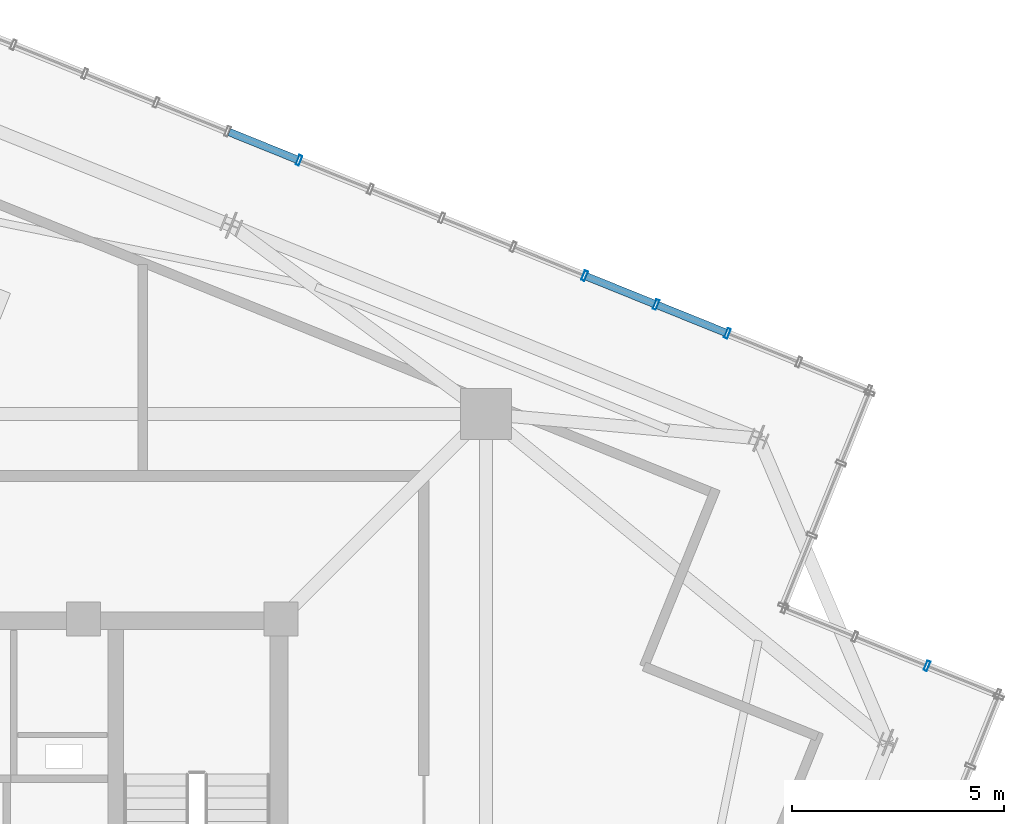
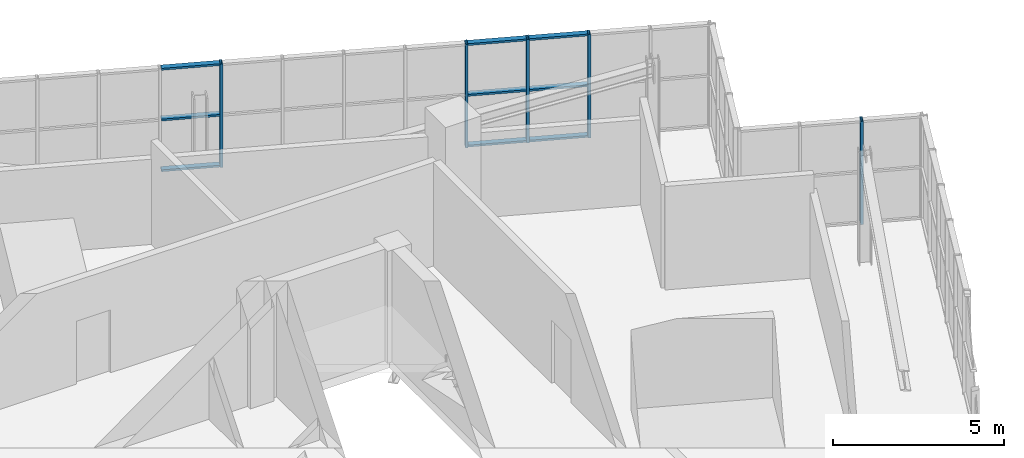
# One storey, part 17 of 26: 14 members, 2 elements without a shape of their own.
"""IFC4 building model written with IfcOpenShell, lengths in metres."""

import ifcopenshell
import ifcopenshell.guid

model = None  # the IFC model being written
_history = None  # IfcOwnerHistory: only IFC2X3 demands one
_inside = {}  # id of a spatial element -> (the spatial element, [elements in it])
_under = {}  # id of a project, library or spatial element -> (it, [spatial elements below it])
_declared = {}  # id of a project -> (the project, [libraries it declares])
_typed = {}  # id of a type object -> (the type object, [elements of that type])
_made_of = {}  # id of a material, layer set ... -> (it, [elements and type objects made of it])


def new_model(schema):
    """Start an empty IFC model of exactly this schema.

    Asked for "IFC4X3", IfcOpenShell would pick the latest addendum, in which some entities
    have other attributes; the version numbers below select the first issue.
    IFC2X3 requires an IfcOwnerHistory on every rooted entity: one is made here for all.
    """
    global model, _history
    if schema == "IFC4X3":
        model = ifcopenshell.file(schema_version=(4, 3, 0, 0))
    else:
        model = ifcopenshell.file(schema=schema)
    _inside.clear()
    _under.clear()
    _declared.clear()
    _typed.clear()
    _made_of.clear()
    _history = None
    if model.schema == "IFC2X3":
        org = make("IfcOrganization", Name="unknown")
        user = make(
            "IfcPersonAndOrganization",
            ThePerson=make("IfcPerson", FamilyName="unknown"),
            TheOrganization=org,
        )
        app = make(
            "IfcApplication",
            ApplicationDeveloper=org,
            Version="unknown",
            ApplicationFullName="unknown",
            ApplicationIdentifier="unknown",
        )
        _history = make(
            "IfcOwnerHistory",
            OwningUser=user,
            OwningApplication=app,
            ChangeAction="ADDED",
            CreationDate=0,
        )
    return model


def make(cls, **values):
    """One entity of the class cls with the attributes given. An attribute that is None is left unset."""
    return model.create_entity(
        cls, **{name: value for name, value in values.items() if value is not None}
    )


def rooted(cls, **values):
    """An entity with a GlobalId (a new one), such as an element, a storey or a relation."""
    return make(cls, GlobalId=ifcopenshell.guid.new(), OwnerHistory=_history, **values)


def si_unit(unit_type, name, prefix=None):
    """IfcSIUnit, for example si_unit("LENGTHUNIT", "METRE", prefix="MILLI")."""
    return make("IfcSIUnit", UnitType=unit_type, Prefix=prefix, Name=name)


def assignment(units):
    """IfcUnitAssignment: the units of a project."""
    return None if units is None else make("IfcUnitAssignment", Units=units)


def point(xyz):
    """IfcCartesianPoint."""
    return None if xyz is None else make("IfcCartesianPoint", Coordinates=xyz)


def direction(xyz):
    """IfcDirection."""
    return None if xyz is None else make("IfcDirection", DirectionRatios=xyz)


def frame(location, z_axis=None, x_axis=None):
    """IfcAxis2Placement3D, a coordinate frame: its origin and axes. An axis left out is left unset."""
    return make(
        "IfcAxis2Placement3D",
        Location=point(location),
        Axis=direction(z_axis),
        RefDirection=direction(x_axis),
    )


def frame_2d(location, x_axis=None):
    """IfcAxis2Placement2D, a coordinate frame in the plane: its origin and x axis."""
    return make(
        "IfcAxis2Placement2D", Location=point(location), RefDirection=direction(x_axis)
    )


def origin():
    """The frame at (0, 0, 0) with its axes left unset."""
    return frame((0.0, 0.0, 0.0))


def origin_2d():
    """The frame at (0, 0) in the plane with its x axis left unset."""
    return frame_2d((0.0, 0.0))


def place(relative_to, where):
    """IfcLocalPlacement: puts the frame where relative to a parent placement (None: the world)."""
    return make(
        "IfcLocalPlacement", PlacementRelTo=relative_to, RelativePlacement=where
    )


def context(
    kind, dimensions, precision=None, world=None, true_north=None, identifier=None
):
    """IfcGeometricRepresentationContext, for example the 3D "Model" context."""
    return make(
        "IfcGeometricRepresentationContext",
        ContextIdentifier=identifier,
        ContextType=kind,
        CoordinateSpaceDimension=dimensions,
        Precision=precision,
        WorldCoordinateSystem=world,
        TrueNorth=true_north,
    )


def subcontext(parent, identifier, kind, view, scale=None):
    """IfcGeometricRepresentationSubContext, for example "Body" below "Model"."""
    return make(
        "IfcGeometricRepresentationSubContext",
        ContextIdentifier=identifier,
        ContextType=kind,
        ParentContext=parent,
        TargetScale=scale,
        TargetView=view,
    )


def project(units=None, contexts=None):
    """IfcProject with its units and contexts."""
    return rooted(
        "IfcProject",
        Name="project",
        RepresentationContexts=contexts,
        UnitsInContext=assignment(units),
    )


def spatial(cls, under=None, at=None, **own):
    """A site, building, storey or space (cls), placed at a placement, below another one or the project."""
    s = rooted(cls, ObjectPlacement=at, **own)
    if under is not None:
        _under.setdefault(under.id(), (under, []))[1].append(s)
    return s


def profile(cls, at=None, kind="AREA", **sizes):
    """A parametric profile (cls). Its sizes go by their IFC names, for example OverallWidth=200.0."""
    return make(cls, ProfileType=kind, Position=at, **sizes)


def hollow_rectangle(**sizes):
    """IfcRectangleHollowProfileDef."""
    return profile("IfcRectangleHollowProfileDef", **sizes)


def extrude(swept, where, along, depth):
    """IfcExtrudedAreaSolid: the profile swept, set in the frame where, extruded along a direction by depth."""
    return make(
        "IfcExtrudedAreaSolid",
        SweptArea=swept,
        Position=where,
        ExtrudedDirection=direction(along),
        Depth=depth,
    )


def shape(context_of_items, identifier, shape_type, items):
    """IfcShapeRepresentation: the items that make up one representation, for example the "Body"."""
    return make(
        "IfcShapeRepresentation",
        ContextOfItems=context_of_items,
        RepresentationIdentifier=identifier,
        RepresentationType=shape_type,
        Items=items,
    )


def source(mapping_origin, context_of_items, identifier, shape_type, items):
    """IfcRepresentationMap: a shape defined once, which mapped items show again and again."""
    return make(
        "IfcRepresentationMap",
        MappingOrigin=mapping_origin,
        MappedRepresentation=shape(context_of_items, identifier, shape_type, items),
    )


def transform(
    local_origin,
    x_axis=None,
    y_axis=None,
    z_axis=None,
    scale=None,
    scale2=None,
    scale3=None,
    uniform=True,
):
    """IfcCartesianTransformationOperator3D, or its non-uniform kind. x_axis, y_axis, z_axis: its Axis1, 2, 3."""
    if uniform:
        return make(
            "IfcCartesianTransformationOperator3D",
            Axis1=direction(x_axis),
            Axis2=direction(y_axis),
            LocalOrigin=point(local_origin),
            Scale=scale,
            Axis3=direction(z_axis),
        )
    return make(
        "IfcCartesianTransformationOperator3DnonUniform",
        Axis1=direction(x_axis),
        Axis2=direction(y_axis),
        LocalOrigin=point(local_origin),
        Scale=scale,
        Axis3=direction(z_axis),
        Scale2=scale2,
        Scale3=scale3,
    )


def mapped(mapping_source, mapping_target):
    """IfcMappedItem: shows the shape of a source again, moved by a transform."""
    return make(
        "IfcMappedItem", MappingSource=mapping_source, MappingTarget=mapping_target
    )


def material(Name=None, Category=None):
    """IfcMaterial."""
    return make("IfcMaterial", Name=Name, Category=Category)


def layer(
    of_material, thickness, ventilated=None, Name=None, Category=None, Priority=None
):
    """IfcMaterialLayer: one layer of a wall or slab, of a material (None: an air gap)."""
    return make(
        "IfcMaterialLayer",
        Material=of_material,
        LayerThickness=thickness,
        IsVentilated=ventilated,
        Name=Name,
        Category=Category,
        Priority=Priority,
    )


def layer_set(layers, Name=None):
    """IfcMaterialLayerSet."""
    return make("IfcMaterialLayerSet", MaterialLayers=layers, LayerSetName=Name)


def material_profile(
    of_material, cross_section, Name=None, Category=None, Priority=None
):
    """IfcMaterialProfile: a cross section and its material."""
    return make(
        "IfcMaterialProfile",
        Name=Name,
        Material=of_material,
        Profile=cross_section,
        Priority=Priority,
        Category=Category,
    )


def profile_set(profiles, Name=None, composite=None):
    """IfcMaterialProfileSet."""
    return make(
        "IfcMaterialProfileSet",
        Name=Name,
        MaterialProfiles=profiles,
        CompositeProfile=composite,
    )


def made_of(thing, what):
    """Note that an element or type object is made of a material, layer set ...; save() writes the relation."""
    if what is not None:
        _made_of.setdefault(what.id(), (what, []))[1].append(thing)
    return thing


def type_object(cls, material=None, **own):
    """A type object (cls), such as IfcWallType, which elements share."""
    return made_of(rooted(cls, **own), material)


def element(
    cls,
    number,
    at=None,
    inside=None,
    cuts=None,
    type_object=None,
    material=None,
    context=None,
    identifier="Body",
    shape_type=None,
    held_by="IfcProductDefinitionShape",
    body=None,
    shapes=None,
    **own,
):
    """One element of the class cls, such as IfcWall. Its Tag is "e" and its number.

    at: its placement. inside: the storey or other place that contains it. cuts: it is an
    opening in that element (IfcRelVoidsElement). A single representation is given by context,
    identifier, shape_type and body (its items); several are given by shapes. held_by: the class
    of the entity that holds the representations. save() writes the other relations.
    """
    e = rooted(cls, Tag="e%d" % number, ObjectPlacement=at, **own)
    if body is not None:
        shapes = [shape(context, identifier, shape_type, body)]
    if shapes is not None:
        e.Representation = make(held_by, Representations=shapes)
    if inside is not None:
        _inside.setdefault(inside.id(), (inside, []))[1].append(e)
    if cuts is not None:
        rooted(
            "IfcRelVoidsElement", RelatingBuildingElement=cuts, RelatedOpeningElement=e
        )
    if type_object is not None:
        _typed.setdefault(type_object.id(), (type_object, []))[1].append(e)
    return made_of(e, material)


def aggregate(whole, parts):
    """IfcRelAggregates: a whole, such as a stair, and the parts it consists of."""
    return rooted("IfcRelAggregates", RelatingObject=whole, RelatedObjects=parts)


def save(model, path):
    """Write the relations noted so far, then the file.

    IfcRelAggregates (storeys below a building ...), IfcRelContainedInSpatialStructure (elements
    in a storey), IfcRelDefinesByType, IfcRelAssociatesMaterial and IfcRelDeclares: one each for
    every whole, place, type object, material and project.
    """
    for whole, parts in _under.values():
        aggregate(whole, parts)
    for where, things in _inside.values():
        rooted(
            "IfcRelContainedInSpatialStructure",
            RelatedElements=things,
            RelatingStructure=where,
        )
    for kind, things in _typed.values():
        rooted("IfcRelDefinesByType", RelatedObjects=things, RelatingType=kind)
    for what, things in _made_of.values():
        rooted("IfcRelAssociatesMaterial", RelatedObjects=things, RelatingMaterial=what)
    for by, libraries in _declared.values():
        rooted("IfcRelDeclares", RelatingContext=by, RelatedDefinitions=libraries)
    model.write(path)


model = new_model("IFC4")

# Units and contexts
model_context = context("Model", 3, precision=1e-05, world=origin(), true_north=direction((0.0, 1.0)))
body_context = subcontext(model_context, "Body", "Model", "MODEL_VIEW")
ifc_project = project(units=[si_unit("LENGTHUNIT", "METRE"), si_unit("AREAUNIT", "SQUARE_METRE"), si_unit("VOLUMEUNIT", "CUBIC_METRE"), si_unit("PLANEANGLEUNIT", "RADIAN"), si_unit("MASSUNIT", "GRAM", prefix="KILO"), si_unit("THERMODYNAMICTEMPERATUREUNIT", "KELVIN")], contexts=[model_context])

# Site, building, storey
site_placement = place(None, origin())
site = spatial("IfcSite", under=ifc_project, at=site_placement, CompositionType="ELEMENT")
building_placement = place(site_placement, origin())
building = spatial("IfcBuilding", under=site, at=building_placement, Name="Kosmvard Interchange Tower", CompositionType="ELEMENT")
storey_placement = place(building_placement, frame((0.0, 0.0, 333.60009765625)))
storey = spatial("IfcBuildingStorey", under=building, at=storey_placement, Name="L82", CompositionType="ELEMENT", Elevation=333.60009765625)

# Curtain wall, member
ifc_material = material(Name="Architectural anodised aluminium", Category="aluminium")
ifc_layer = layer(ifc_material, 0.25, Name="Architectural anodised aluminium")
ifc_layer_set = layer_set([ifc_layer], Name="Architectural anodised aluminium")
curtain_wall_type = type_object("IfcCurtainWallType", Name="CW-6 Illuminated Crown Lantern Curtain Wall", PredefinedType="NOTDEFINED", material=ifc_layer_set)
curtain_wall_1_placement = place(storey_placement, origin())
curtain_wall_1 = element("IfcCurtainWall", 1, at=curtain_wall_1_placement, inside=storey, type_object=curtain_wall_type, Name="L82 Crown Lantern Glazing Face 02", PredefinedType="NOTDEFINED")
ifc_material_profile_1 = material_profile(ifc_material, hollow_rectangle(XDim=0.239990234375, YDim=0.080078125, WallThickness=0.006103515625, at=origin_2d()), Name="CWM 240x80x6")
ifc_profile_set_1 = profile_set([ifc_material_profile_1], Name="Architectural anodised aluminium")
member_type_1 = type_object("IfcMemberType", Name="Lantern & Observation CW Mullion 240x80 Aluminium", PredefinedType="MULLION", material=ifc_profile_set_1)
shared_shape_1 = source(origin(), body_context, "Body", "SweptSolid", [
    extrude(hollow_rectangle(XDim=0.239990234375, YDim=0.080078125, WallThickness=0.006103515625, at=origin_2d()), origin(), (0.0, 0.0, 1.0), 3.699951171875),
])
member_1_placement = place(storey_placement, frame((23.473388671875, 7.147216796875, 0.0), z_axis=(0.0, 0.0, 1.0), x_axis=(-0.374606564822, -0.92718386612, 0.0)))
member_1 = element("IfcMember", 2, at=member_1_placement, type_object=member_type_1, Name="CW-6 mullion 2", PredefinedType="MULLION", context=body_context, shape_type="MappedRepresentation", body=[
    mapped(shared_shape_1, transform((0.0, 0.0, 0.0), scale=1.0)),
])
aggregate(curtain_wall_1, [member_1])

# Curtain wall, members
curtain_wall_2_placement = place(storey_placement, origin())
curtain_wall_2 = element("IfcCurtainWall", 3, at=curtain_wall_2_placement, inside=storey, type_object=curtain_wall_type, Name="L82 Crown Lantern Glazing Face 04", PredefinedType="NOTDEFINED")
member_2_placement = place(storey_placement, frame((18.77001953125, 14.9794921875, 0.0), z_axis=(0.0, 0.0, 1.0), x_axis=(-0.374606584758, -0.927183858065, 0.0)))
member_2 = element("IfcMember", 4, at=member_2_placement, type_object=member_type_1, Name="CW-6 mullion 3", PredefinedType="MULLION", context=body_context, shape_type="MappedRepresentation", body=[
    mapped(shared_shape_1, transform((0.0, 0.0, 0.0), scale=1.0)),
])
member_3_placement = place(storey_placement, frame((17.087890625, 15.658935546875, 0.0), z_axis=(0.0, 0.0, 1.0), x_axis=(-0.374606584758, -0.927183858065, 0.0)))
member_3 = element("IfcMember", 5, at=member_3_placement, type_object=member_type_1, Name="CW-6 mullion 4", PredefinedType="MULLION", context=body_context, shape_type="MappedRepresentation", body=[
    mapped(shared_shape_1, transform((0.0, 0.0, 0.0), scale=1.0)),
])
member_4_placement = place(storey_placement, frame((15.40576171875, 16.338623046875, 0.0), z_axis=(0.0, 0.0, 1.0), x_axis=(-0.374606584758, -0.927183858065, 0.0)))
member_4 = element("IfcMember", 6, at=member_4_placement, type_object=member_type_1, Name="CW-6 mullion 5", PredefinedType="MULLION", context=body_context, shape_type="MappedRepresentation", body=[
    mapped(shared_shape_1, transform((0.0, 0.0, 0.0), scale=1.0)),
])
member_5_placement = place(storey_placement, frame((8.677734375, 19.056884765625, 0.0), z_axis=(0.0, 0.0, 1.0), x_axis=(-0.374606584758, -0.927183858065, 0.0)))
member_5 = element("IfcMember", 7, at=member_5_placement, type_object=member_type_1, Name="CW-6 mullion 9", PredefinedType="MULLION", context=body_context, shape_type="MappedRepresentation", body=[
    mapped(shared_shape_1, transform((0.0, 0.0, 0.0), scale=1.0)),
])
ifc_material_profile_2 = material_profile(ifc_material, hollow_rectangle(XDim=0.179931640625, YDim=0.070068359375, WallThickness=0.0048828125, at=origin_2d()), Name="CWT 180x70x5")
ifc_profile_set_2 = profile_set([ifc_material_profile_2], Name="Architectural anodised aluminium")
member_type_2 = type_object("IfcMemberType", Name="Heavy Lantern CW Transom 180x70 Aluminium", PredefinedType="USERDEFINED", material=ifc_profile_set_2)
shared_shape_2 = source(origin(), body_context, "Body", "SweptSolid", [
    extrude(hollow_rectangle(XDim=0.179931640625, YDim=0.070068359375, WallThickness=0.0048828125, at=origin_2d()), origin(), (0.0, 0.0, 1.0), 1.734130859375),
])
member_6_placement = place(storey_placement, frame((18.73291015625, 14.994384765625, 0.034912109375), z_axis=(-0.927179782522, 0.374616671924, 0.0), x_axis=(-0.374616671924, -0.927179782522, 0.0)))
member_6 = element("IfcMember", 8, at=member_6_placement, type_object=member_type_2, Name="CW-6 transom 3.1", ObjectType="TRANSOM", PredefinedType="USERDEFINED", context=body_context, shape_type="MappedRepresentation", body=[
    mapped(shared_shape_2, transform((0.0, 0.0, 0.0), scale=1.0)),
])
member_7_placement = place(storey_placement, frame((18.73291015625, 14.994384765625, 1.849853515625), z_axis=(-0.927179782522, 0.374616671924, 0.0), x_axis=(-0.374616671924, -0.927179782522, 0.0)))
member_7 = element("IfcMember", 9, at=member_7_placement, type_object=member_type_2, Name="CW-6 transom 3.2", ObjectType="TRANSOM", PredefinedType="USERDEFINED", context=body_context, shape_type="MappedRepresentation", body=[
    mapped(shared_shape_2, transform((0.0, 0.0, 0.0), scale=1.0)),
])
member_8_placement = place(storey_placement, frame((18.73291015625, 14.994384765625, 3.664794921875), z_axis=(-0.927179782522, 0.374616671924, 0.0), x_axis=(-0.374616671924, -0.927179782522, 0.0)))
member_8 = element("IfcMember", 10, at=member_8_placement, type_object=member_type_2, Name="CW-6 transom 3.3", ObjectType="TRANSOM", PredefinedType="USERDEFINED", context=body_context, shape_type="MappedRepresentation", body=[
    mapped(shared_shape_2, transform((0.0, 0.0, 0.0), scale=1.0)),
])
member_9_placement = place(storey_placement, frame((17.05078125, 15.674072265625, 0.034912109375), z_axis=(-0.927228675447, 0.374495638732, 0.0), x_axis=(-0.374495638732, -0.927228675447, 0.0)))
member_9 = element("IfcMember", 11, at=member_9_placement, type_object=member_type_2, Name="CW-6 transom 4.1", ObjectType="TRANSOM", PredefinedType="USERDEFINED", context=body_context, shape_type="MappedRepresentation", body=[
    mapped(shared_shape_2, transform((0.0, 0.0, 0.0), scale=1.0)),
])
member_10_placement = place(storey_placement, frame((17.05078125, 15.674072265625, 1.849853515625), z_axis=(-0.927228675447, 0.374495638732, 0.0), x_axis=(-0.374495638732, -0.927228675447, 0.0)))
member_10 = element("IfcMember", 12, at=member_10_placement, type_object=member_type_2, Name="CW-6 transom 4.2", ObjectType="TRANSOM", PredefinedType="USERDEFINED", context=body_context, shape_type="MappedRepresentation", body=[
    mapped(shared_shape_2, transform((0.0, 0.0, 0.0), scale=1.0)),
])
member_11_placement = place(storey_placement, frame((17.05078125, 15.674072265625, 3.664794921875), z_axis=(-0.927228675447, 0.374495638732, 0.0), x_axis=(-0.374495638732, -0.927228675447, 0.0)))
member_11 = element("IfcMember", 13, at=member_11_placement, type_object=member_type_2, Name="CW-6 transom 4.3", ObjectType="TRANSOM", PredefinedType="USERDEFINED", context=body_context, shape_type="MappedRepresentation", body=[
    mapped(shared_shape_2, transform((0.0, 0.0, 0.0), scale=1.0)),
])
shared_shape_3 = source(origin(), body_context, "Body", "SweptSolid", [
    extrude(hollow_rectangle(XDim=0.179931640625, YDim=0.070068359375, WallThickness=0.0048828125, at=origin_2d()), origin(), (0.0, 0.0, 1.0), 1.73388671875),
])
member_12_placement = place(storey_placement, frame((8.640625, 19.07177734375, 0.034912109375), z_axis=(-0.927160021861, 0.374665576032, 0.0), x_axis=(-0.374665576032, -0.927160021861, 0.0)))
member_12 = element("IfcMember", 14, at=member_12_placement, type_object=member_type_2, Name="CW-6 transom 9.1", ObjectType="TRANSOM", PredefinedType="USERDEFINED", context=body_context, shape_type="MappedRepresentation", body=[
    mapped(shared_shape_3, transform((0.0, 0.0, 0.0), scale=1.0)),
])
member_13_placement = place(storey_placement, frame((8.640625, 19.07177734375, 1.849853515625), z_axis=(-0.927160021861, 0.374665576032, 0.0), x_axis=(-0.374665576032, -0.927160021861, 0.0)))
member_13 = element("IfcMember", 15, at=member_13_placement, type_object=member_type_2, Name="CW-6 transom 9.2", ObjectType="TRANSOM", PredefinedType="USERDEFINED", context=body_context, shape_type="MappedRepresentation", body=[
    mapped(shared_shape_3, transform((0.0, 0.0, 0.0), scale=1.0)),
])
member_14_placement = place(storey_placement, frame((8.640625, 19.07177734375, 3.664794921875), z_axis=(-0.927160021861, 0.374665576032, 0.0), x_axis=(-0.374665576032, -0.927160021861, 0.0)))
member_14 = element("IfcMember", 16, at=member_14_placement, type_object=member_type_2, Name="CW-6 transom 9.3", ObjectType="TRANSOM", PredefinedType="USERDEFINED", context=body_context, shape_type="MappedRepresentation", body=[
    mapped(shared_shape_3, transform((0.0, 0.0, 0.0), scale=1.0)),
])
aggregate(curtain_wall_2, [member_2, member_3, member_4, member_5, member_6, member_7, member_8, member_9, member_10, member_11, member_12, member_13, member_14])

save(model, "model.ifc")
